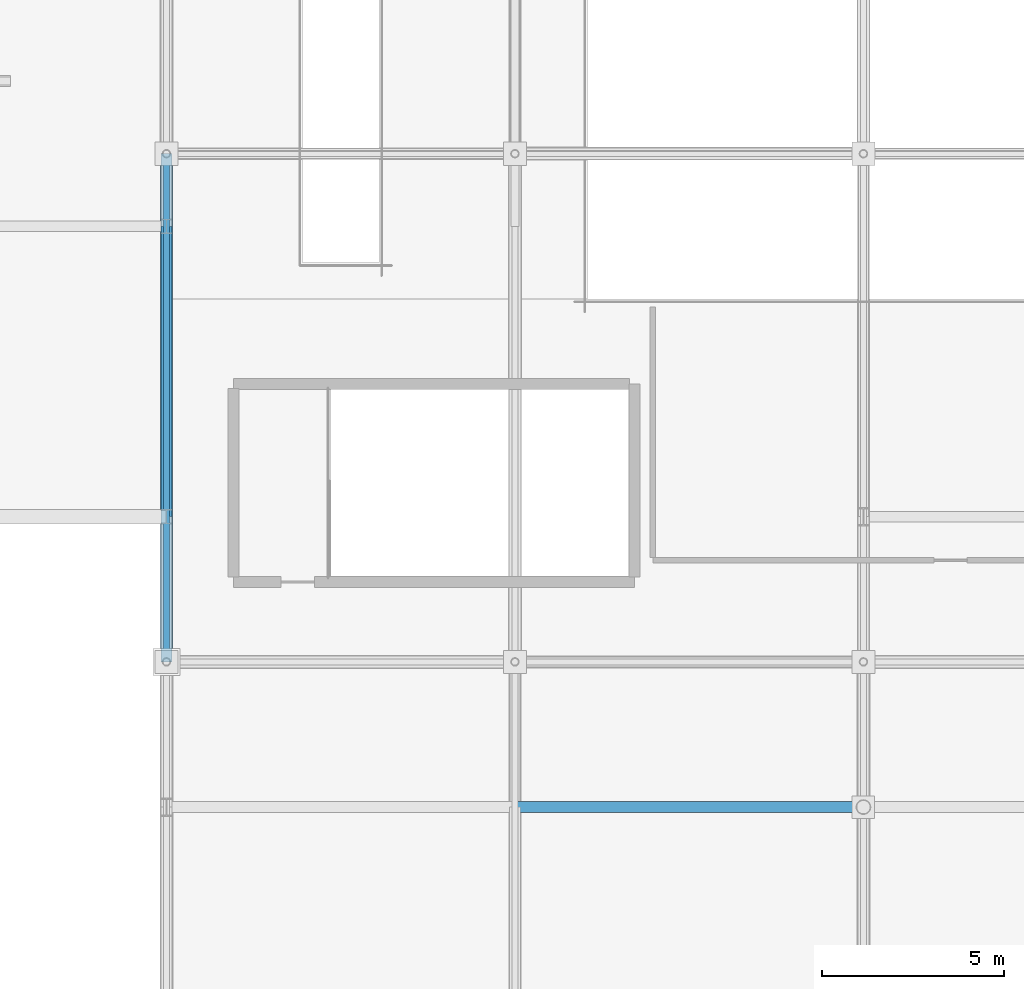
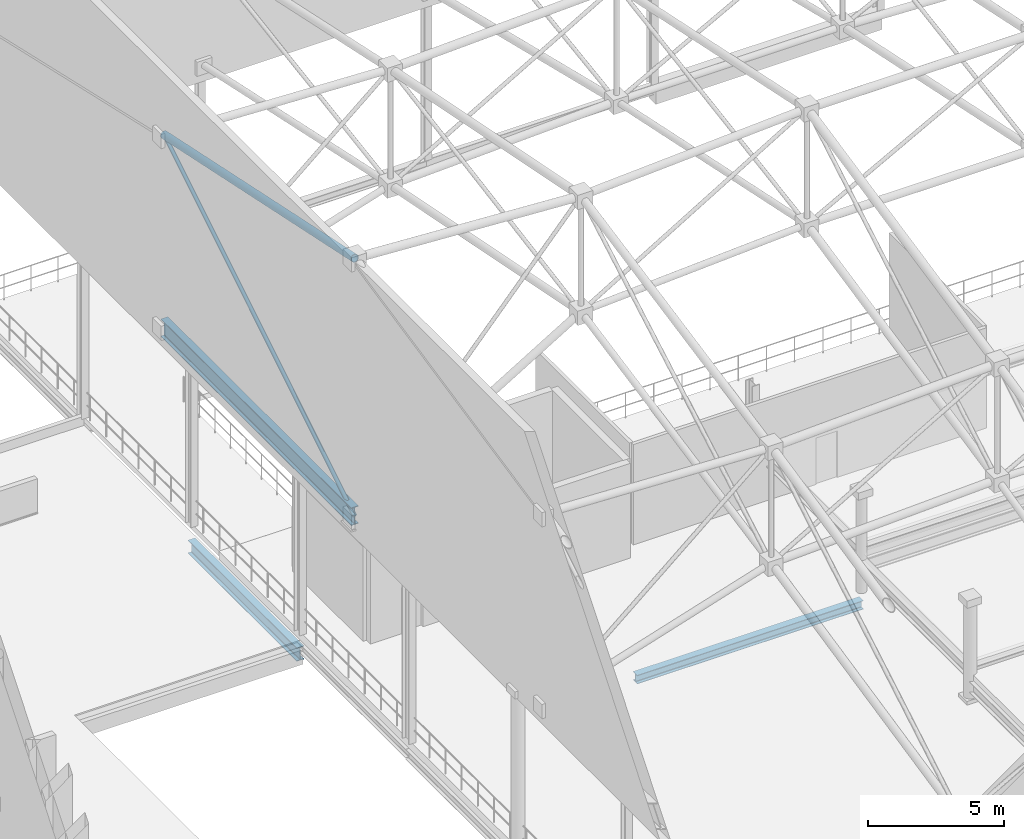
# One storey, part 104 of 193: 3 beams, 2 members.
"""IFC4 building model written with IfcOpenShell, lengths in metres."""

import ifcopenshell
import ifcopenshell.guid

model = None  # the IFC model being written
_history = None  # IfcOwnerHistory: only IFC2X3 demands one
_inside = {}  # id of a spatial element -> (the spatial element, [elements in it])
_under = {}  # id of a project, library or spatial element -> (it, [spatial elements below it])
_declared = {}  # id of a project -> (the project, [libraries it declares])
_typed = {}  # id of a type object -> (the type object, [elements of that type])
_made_of = {}  # id of a material, layer set ... -> (it, [elements and type objects made of it])


def new_model(schema):
    """Start an empty IFC model of exactly this schema.

    Asked for "IFC4X3", IfcOpenShell would pick the latest addendum, in which some entities
    have other attributes; the version numbers below select the first issue.
    IFC2X3 requires an IfcOwnerHistory on every rooted entity: one is made here for all.
    """
    global model, _history
    if schema == "IFC4X3":
        model = ifcopenshell.file(schema_version=(4, 3, 0, 0))
    else:
        model = ifcopenshell.file(schema=schema)
    _inside.clear()
    _under.clear()
    _declared.clear()
    _typed.clear()
    _made_of.clear()
    _history = None
    if model.schema == "IFC2X3":
        org = make("IfcOrganization", Name="unknown")
        user = make(
            "IfcPersonAndOrganization",
            ThePerson=make("IfcPerson", FamilyName="unknown"),
            TheOrganization=org,
        )
        app = make(
            "IfcApplication",
            ApplicationDeveloper=org,
            Version="unknown",
            ApplicationFullName="unknown",
            ApplicationIdentifier="unknown",
        )
        _history = make(
            "IfcOwnerHistory",
            OwningUser=user,
            OwningApplication=app,
            ChangeAction="ADDED",
            CreationDate=0,
        )
    return model


def make(cls, **values):
    """One entity of the class cls with the attributes given. An attribute that is None is left unset."""
    return model.create_entity(
        cls, **{name: value for name, value in values.items() if value is not None}
    )


def rooted(cls, **values):
    """An entity with a GlobalId (a new one), such as an element, a storey or a relation."""
    return make(cls, GlobalId=ifcopenshell.guid.new(), OwnerHistory=_history, **values)


def si_unit(unit_type, name, prefix=None):
    """IfcSIUnit, for example si_unit("LENGTHUNIT", "METRE", prefix="MILLI")."""
    return make("IfcSIUnit", UnitType=unit_type, Prefix=prefix, Name=name)


def assignment(units):
    """IfcUnitAssignment: the units of a project."""
    return None if units is None else make("IfcUnitAssignment", Units=units)


def point(xyz):
    """IfcCartesianPoint."""
    return None if xyz is None else make("IfcCartesianPoint", Coordinates=xyz)


def direction(xyz):
    """IfcDirection."""
    return None if xyz is None else make("IfcDirection", DirectionRatios=xyz)


def frame(location, z_axis=None, x_axis=None):
    """IfcAxis2Placement3D, a coordinate frame: its origin and axes. An axis left out is left unset."""
    return make(
        "IfcAxis2Placement3D",
        Location=point(location),
        Axis=direction(z_axis),
        RefDirection=direction(x_axis),
    )


def frame_2d(location, x_axis=None):
    """IfcAxis2Placement2D, a coordinate frame in the plane: its origin and x axis."""
    return make(
        "IfcAxis2Placement2D", Location=point(location), RefDirection=direction(x_axis)
    )


def origin():
    """The frame at (0, 0, 0) with its axes left unset."""
    return frame((0.0, 0.0, 0.0))


def origin_2d():
    """The frame at (0, 0) in the plane with its x axis left unset."""
    return frame_2d((0.0, 0.0))


def place(relative_to, where):
    """IfcLocalPlacement: puts the frame where relative to a parent placement (None: the world)."""
    return make(
        "IfcLocalPlacement", PlacementRelTo=relative_to, RelativePlacement=where
    )


def context(
    kind, dimensions, precision=None, world=None, true_north=None, identifier=None
):
    """IfcGeometricRepresentationContext, for example the 3D "Model" context."""
    return make(
        "IfcGeometricRepresentationContext",
        ContextIdentifier=identifier,
        ContextType=kind,
        CoordinateSpaceDimension=dimensions,
        Precision=precision,
        WorldCoordinateSystem=world,
        TrueNorth=true_north,
    )


def subcontext(parent, identifier, kind, view, scale=None):
    """IfcGeometricRepresentationSubContext, for example "Body" below "Model"."""
    return make(
        "IfcGeometricRepresentationSubContext",
        ContextIdentifier=identifier,
        ContextType=kind,
        ParentContext=parent,
        TargetScale=scale,
        TargetView=view,
    )


def project(units=None, contexts=None):
    """IfcProject with its units and contexts."""
    return rooted(
        "IfcProject",
        Name="project",
        RepresentationContexts=contexts,
        UnitsInContext=assignment(units),
    )


def spatial(cls, under=None, at=None, **own):
    """A site, building, storey or space (cls), placed at a placement, below another one or the project."""
    s = rooted(cls, ObjectPlacement=at, **own)
    if under is not None:
        _under.setdefault(under.id(), (under, []))[1].append(s)
    return s


def profile(cls, at=None, kind="AREA", **sizes):
    """A parametric profile (cls). Its sizes go by their IFC names, for example OverallWidth=200.0."""
    return make(cls, ProfileType=kind, Position=at, **sizes)


def hollow_circle(**sizes):
    """IfcCircleHollowProfileDef."""
    return profile("IfcCircleHollowProfileDef", **sizes)


def i_section(**sizes):
    """IfcIShapeProfileDef."""
    return profile("IfcIShapeProfileDef", **sizes)


def extrude(swept, where, along, depth):
    """IfcExtrudedAreaSolid: the profile swept, set in the frame where, extruded along a direction by depth."""
    return make(
        "IfcExtrudedAreaSolid",
        SweptArea=swept,
        Position=where,
        ExtrudedDirection=direction(along),
        Depth=depth,
    )


def shape(context_of_items, identifier, shape_type, items):
    """IfcShapeRepresentation: the items that make up one representation, for example the "Body"."""
    return make(
        "IfcShapeRepresentation",
        ContextOfItems=context_of_items,
        RepresentationIdentifier=identifier,
        RepresentationType=shape_type,
        Items=items,
    )


def material(Name=None, Category=None):
    """IfcMaterial."""
    return make("IfcMaterial", Name=Name, Category=Category)


def material_profile(
    of_material, cross_section, Name=None, Category=None, Priority=None
):
    """IfcMaterialProfile: a cross section and its material."""
    return make(
        "IfcMaterialProfile",
        Name=Name,
        Material=of_material,
        Profile=cross_section,
        Priority=Priority,
        Category=Category,
    )


def profile_set(profiles, Name=None, composite=None):
    """IfcMaterialProfileSet."""
    return make(
        "IfcMaterialProfileSet",
        Name=Name,
        MaterialProfiles=profiles,
        CompositeProfile=composite,
    )


def made_of(thing, what):
    """Note that an element or type object is made of a material, layer set ...; save() writes the relation."""
    if what is not None:
        _made_of.setdefault(what.id(), (what, []))[1].append(thing)
    return thing


def type_object(cls, material=None, **own):
    """A type object (cls), such as IfcWallType, which elements share."""
    return made_of(rooted(cls, **own), material)


def element(
    cls,
    number,
    at=None,
    inside=None,
    cuts=None,
    type_object=None,
    material=None,
    context=None,
    identifier="Body",
    shape_type=None,
    held_by="IfcProductDefinitionShape",
    body=None,
    shapes=None,
    **own,
):
    """One element of the class cls, such as IfcWall. Its Tag is "e" and its number.

    at: its placement. inside: the storey or other place that contains it. cuts: it is an
    opening in that element (IfcRelVoidsElement). A single representation is given by context,
    identifier, shape_type and body (its items); several are given by shapes. held_by: the class
    of the entity that holds the representations. save() writes the other relations.
    """
    e = rooted(cls, Tag="e%d" % number, ObjectPlacement=at, **own)
    if body is not None:
        shapes = [shape(context, identifier, shape_type, body)]
    if shapes is not None:
        e.Representation = make(held_by, Representations=shapes)
    if inside is not None:
        _inside.setdefault(inside.id(), (inside, []))[1].append(e)
    if cuts is not None:
        rooted(
            "IfcRelVoidsElement", RelatingBuildingElement=cuts, RelatedOpeningElement=e
        )
    if type_object is not None:
        _typed.setdefault(type_object.id(), (type_object, []))[1].append(e)
    return made_of(e, material)


def aggregate(whole, parts):
    """IfcRelAggregates: a whole, such as a stair, and the parts it consists of."""
    return rooted("IfcRelAggregates", RelatingObject=whole, RelatedObjects=parts)


def save(model, path):
    """Write the relations noted so far, then the file.

    IfcRelAggregates (storeys below a building ...), IfcRelContainedInSpatialStructure (elements
    in a storey), IfcRelDefinesByType, IfcRelAssociatesMaterial and IfcRelDeclares: one each for
    every whole, place, type object, material and project.
    """
    for whole, parts in _under.values():
        aggregate(whole, parts)
    for where, things in _inside.values():
        rooted(
            "IfcRelContainedInSpatialStructure",
            RelatedElements=things,
            RelatingStructure=where,
        )
    for kind, things in _typed.values():
        rooted("IfcRelDefinesByType", RelatedObjects=things, RelatingType=kind)
    for what, things in _made_of.values():
        rooted("IfcRelAssociatesMaterial", RelatedObjects=things, RelatingMaterial=what)
    for by, libraries in _declared.values():
        rooted("IfcRelDeclares", RelatingContext=by, RelatedDefinitions=libraries)
    model.write(path)


model = new_model("IFC4")

# Units and contexts
model_context = context("Model", 3, precision=1e-05, world=origin(), true_north=direction((0.0, 1.0)))
body_context = subcontext(model_context, "Body", "Model", "MODEL_VIEW")
ifc_project = project(units=[si_unit("LENGTHUNIT", "METRE"), si_unit("AREAUNIT", "SQUARE_METRE"), si_unit("VOLUMEUNIT", "CUBIC_METRE"), si_unit("PLANEANGLEUNIT", "RADIAN"), si_unit("MASSUNIT", "GRAM", prefix="KILO")], contexts=[model_context])

# Site, building, storey
site_placement = place(None, origin())
site = spatial("IfcSite", under=ifc_project, at=site_placement, CompositionType="ELEMENT")
building_placement = place(site_placement, origin())
building = spatial("IfcBuilding", under=site, at=building_placement, Name="Danafjord Basin Convention Centre", CompositionType="ELEMENT")
storey_placement = place(building_placement, frame((0.0, 0.0, 11.39990234375)))
storey = spatial("IfcBuildingStorey", under=building, at=storey_placement, Name="L02", CompositionType="ELEMENT", Elevation=11.39990234375)

# Beams
ifc_material = material(Name="Steel S355", Category="steel")
ifc_material_profile_1 = material_profile(ifc_material, i_section(OverallWidth=0.300048828125, OverallDepth=0.389892578125, WebThickness=0.010986328125, FlangeThickness=0.01904296875, FilletRadius=0.027099609375, at=origin_2d()), Name="HEA 400")
ifc_profile_set_1 = profile_set([ifc_material_profile_1], Name="Steel S355")
beam_type_1 = type_object("IfcBeamType", Name="BEAM-BM-HEA400", PredefinedType="BEAM", material=ifc_profile_set_1)
beam_1_placement = place(storey_placement, frame((144.0, 112.0, -0.554931640625), z_axis=(1.0, 0.0, 0.0), x_axis=(0.0, 1.0, 0.0)))
element("IfcBeam", 1, at=beam_1_placement, inside=storey, type_object=beam_type_1, Name="L02 girder BM-HEA400", PredefinedType="BEAM", context=body_context, shape_type="SweptSolid", body=[
    extrude(i_section(OverallWidth=0.300048828125, OverallDepth=0.389892578125, WebThickness=0.010986328125, FlangeThickness=0.01904296875, FilletRadius=0.027099609375, at=origin_2d()), origin(), (0.0, 0.0, 1.0), 9.60009765625),
])
ifc_material_profile_2 = material_profile(ifc_material, i_section(OverallWidth=0.300048828125, OverallDepth=0.60009765625, WebThickness=0.015380859375, FlangeThickness=0.030029296875, FilletRadius=0.027099609375, at=origin_2d()), Name="HEB 600")
ifc_profile_set_2 = profile_set([ifc_material_profile_2], Name="Steel S355")
beam_type_2 = type_object("IfcBeamType", Name="BEAM-BM-HEB600", PredefinedType="BEAM", material=ifc_profile_set_2)
beam_2_placement = place(storey_placement, frame((134.39990234375, 120.0, -0.96484375), z_axis=(0.0, 1.0, 0.0), x_axis=(-1.0, 0.0, 0.0)))
element("IfcBeam", 2, at=beam_2_placement, inside=storey, type_object=beam_type_2, Name="L02 transverse girder BM-HEB600", PredefinedType="BEAM", context=body_context, shape_type="SweptSolid", body=[
    extrude(i_section(OverallWidth=0.300048828125, OverallDepth=0.60009765625, WebThickness=0.015380859375, FlangeThickness=0.030029296875, FilletRadius=0.027099609375, at=origin_2d()), origin(), (0.0, 0.0, 1.0), 8.0),
])
ifc_material_profile_3 = material_profile(ifc_material, i_section(OverallWidth=0.300048828125, OverallDepth=0.800048828125, WebThickness=0.017578125, FlangeThickness=0.032958984375, FilletRadius=0.030029296875, at=origin_2d()), Name="HEB 800")
ifc_profile_set_3 = profile_set([ifc_material_profile_3], Name="Steel S355")
beam_type_3 = type_object("IfcBeamType", Name="BEAM-BM-HEB800", PredefinedType="BEAM", material=ifc_profile_set_3)
beam_3_placement = place(storey_placement, frame((134.39990234375, 116.0, 7.650146484375), z_axis=(0.0, 1.0, 0.0), x_axis=(-1.0, 0.0, 0.0)))
element("IfcBeam", 3, at=beam_3_placement, inside=storey, type_object=beam_type_3, Name="V2 space-frame perimeter ring girder", PredefinedType="BEAM", context=body_context, shape_type="SweptSolid", body=[
    extrude(i_section(OverallWidth=0.300048828125, OverallDepth=0.800048828125, WebThickness=0.017578125, FlangeThickness=0.032958984375, FilletRadius=0.030029296875, at=origin_2d()), origin(), (0.0, 0.0, 1.0), 14.0),
])

# Members
ifc_material_profile_4 = material_profile(ifc_material, hollow_circle(Radius=0.161865234375, WallThickness=0.01611328125, at=origin_2d()), Name="CHS 323.9x16.0")
ifc_profile_set_4 = profile_set([ifc_material_profile_4], Name="Steel S355")
member_type_1 = type_object("IfcMemberType", Name="MEM-CH-CHS324", PredefinedType="CHORD", material=ifc_profile_set_4)
member_1_placement = place(storey_placement, frame((134.39990234375, 116.0, 19.212646484375), z_axis=(0.0, 0.978472048473, -0.206379384526), x_axis=(-1.0, 0.0, 0.0)))
element("IfcMember", 4, at=member_1_placement, inside=storey, type_object=member_type_1, Name="V2 roof truss transverse top chord", PredefinedType="CHORD", context=body_context, shape_type="SweptSolid", body=[
    extrude(hollow_circle(Radius=0.161865234375, WallThickness=0.01611328125, at=origin_2d()), origin(), (0.0, 0.0, 1.0), 14.30810546875),
])
ifc_material_profile_5 = material_profile(ifc_material, hollow_circle(Radius=0.084228515625, WallThickness=0.008056640625, at=origin_2d()), Name="CHS 168.3x8.0")
ifc_profile_set_5 = profile_set([ifc_material_profile_5], Name="Steel S355")
member_type_2 = type_object("IfcMemberType", Name="MEM-WB-CHS168", PredefinedType="MEMBER", material=ifc_profile_set_5)
member_2_placement = place(storey_placement, frame((134.39990234375, 116.0, 7.650146484375), z_axis=(0.0, 0.85181485631, 0.523842963654), x_axis=(-1.0, 0.0, 0.0)))
element("IfcMember", 5, at=member_2_placement, inside=storey, type_object=member_type_2, Name="V2 space-frame transverse web", PredefinedType="MEMBER", context=body_context, shape_type="SweptSolid", body=[
    extrude(hollow_circle(Radius=0.084228515625, WallThickness=0.008056640625, at=origin_2d()), origin(), (0.0, 0.0, 1.0), 16.435546875),
])

save(model, "model.ifc")
